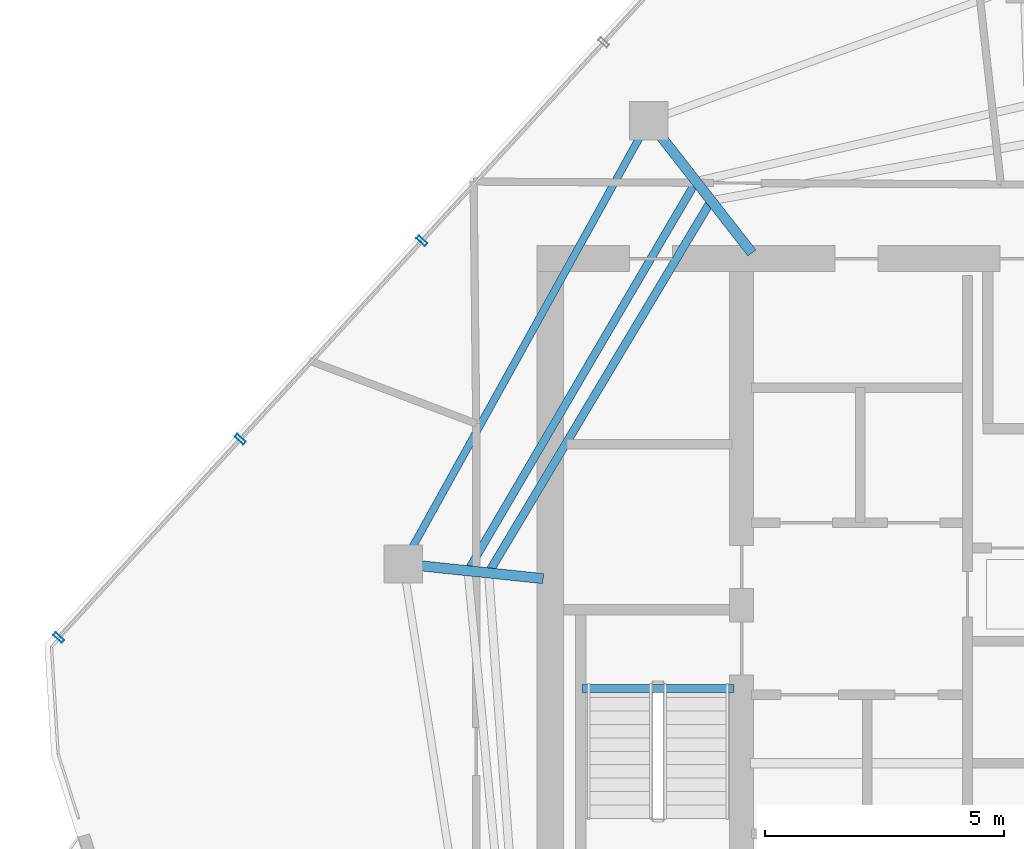
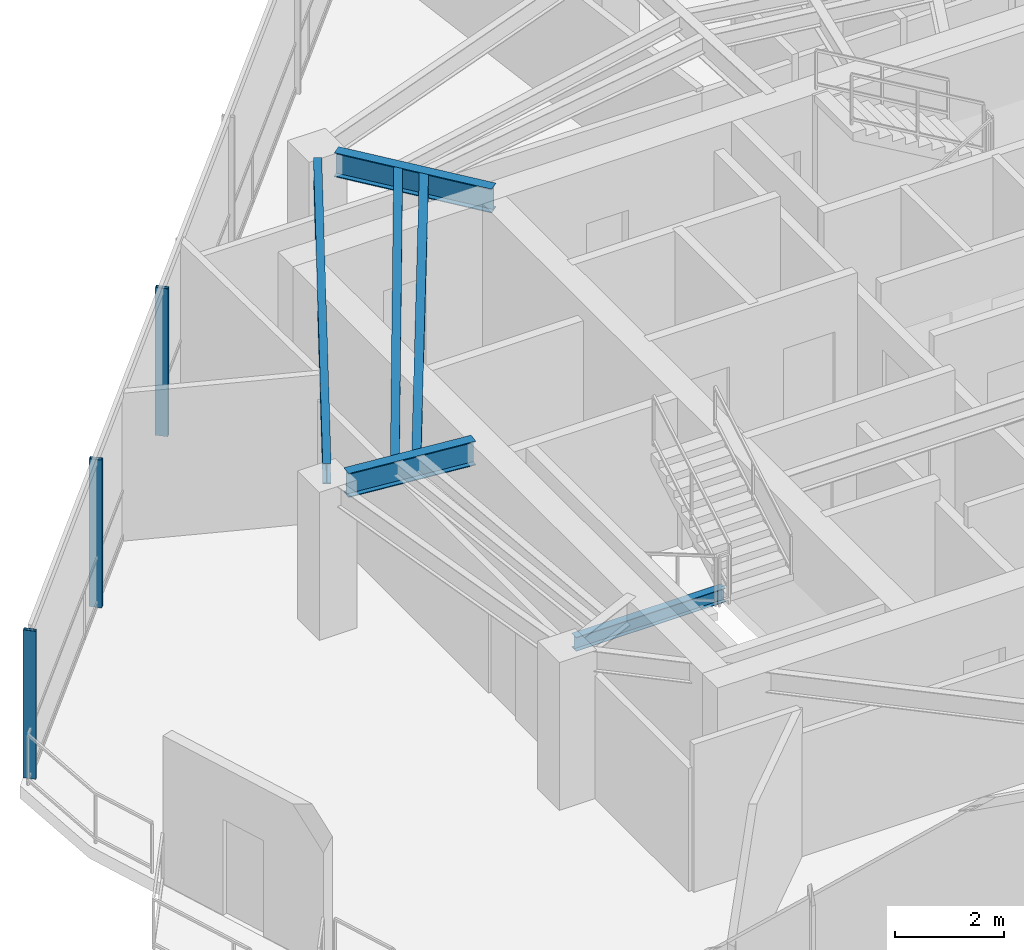
# One storey, part 6 of 18: 6 beams, 3 members, 1 element without a shape of its own.
"""IFC4 building model written with IfcOpenShell, lengths in metres."""

from ifc_helpers import new_model, si_unit, direction, frame, origin, origin_2d, place, context, subcontext, project, spatial, hollow_rectangle, i_section, extrude, material, layer, layer_set, material_profile, profile_set, type_object, element, aggregate, save


model = new_model("IFC4")

# Units and contexts
model_context = context("Model", 3, precision=1e-05, world=origin(), true_north=direction((0.0, 1.0)))
body_context = subcontext(model_context, "Body", "Model", "MODEL_VIEW")
ifc_project = project(units=[si_unit("LENGTHUNIT", "METRE"), si_unit("AREAUNIT", "SQUARE_METRE"), si_unit("VOLUMEUNIT", "CUBIC_METRE"), si_unit("PLANEANGLEUNIT", "RADIAN"), si_unit("MASSUNIT", "GRAM", prefix="KILO")], contexts=[model_context])

# Site, building, storey
site_placement = place(None, origin())
site = spatial("IfcSite", under=ifc_project, at=site_placement, CompositionType="ELEMENT")
building_placement = place(site_placement, origin())
building = spatial("IfcBuilding", under=site, at=building_placement, Name="Qarnah Convention Tower", CompositionType="ELEMENT")
storey_placement = place(building_placement, frame((0.0, 0.0, 246.300048828125)))
storey = spatial("IfcBuildingStorey", under=building, at=storey_placement, Name="L66", CompositionType="ELEMENT", Elevation=246.300048828125)

# Beams
ifc_material_1 = material(Name="Structural steel S355JR", Category="steel")
ifc_material_profile_1 = material_profile(ifc_material_1, i_section(OverallWidth=0.166015625, OverallDepth=0.31201171875, WebThickness=0.007080078125, FlangeThickness=0.010986328125, at=origin_2d()), Name="W310X45")
ifc_profile_set_1 = profile_set([ifc_material_profile_1], Name="Structural steel S355JR")
beam_type_1 = type_object("IfcBeamType", Name="BM-JST-W310", PredefinedType="JOIST", material=ifc_profile_set_1)
beam_1_placement = place(storey_placement, frame((27.4599609375, 25.217041015625, -0.156005859375), z_axis=(1.0, 0.0, 0.0), x_axis=(0.0, 1.0, 0.0)))
element("IfcBeam", 1, at=beam_1_placement, inside=storey, type_object=beam_type_1, Name="L66 stair landing trimmer beam BM-L66-ST1-TRM", PredefinedType="BEAM", context=body_context, shape_type="SweptSolid", body=[
    extrude(i_section(OverallWidth=0.166015625, OverallDepth=0.31201171875, WebThickness=0.007080078125, FlangeThickness=0.010986328125, at=origin_2d()), origin(), (0.0, 0.0, 1.0), 3.179931640625),
])
beam_2_placement = place(storey_placement, frame((29.801025390625, 35.73388671875, 3.1640625), z_axis=(-0.505632134477, -0.862749178258, 0.0), x_axis=(0.862749178258, -0.505632134477, 0.0)))
element("IfcBeam", 2, at=beam_2_placement, inside=storey, type_object=beam_type_1, Name="L66 joist BM-L66-SJST-04", PredefinedType="JOIST", context=body_context, shape_type="SweptSolid", body=[
    extrude(i_section(OverallWidth=0.166015625, OverallDepth=0.31201171875, WebThickness=0.007080078125, FlangeThickness=0.010986328125, at=origin_2d()), origin(), (0.0, 0.0, 1.0), 9.251708984375),
])
ifc_material_profile_2 = material_profile(ifc_material_1, i_section(OverallWidth=0.172119140625, OverallDepth=0.35595703125, WebThickness=0.007080078125, FlangeThickness=0.011962890625, at=origin_2d()), Name="W360X51")
ifc_profile_set_2 = profile_set([ifc_material_profile_2], Name="Structural steel S355JR")
beam_type_2 = type_object("IfcBeamType", Name="BM-JST-W360", PredefinedType="JOIST", material=ifc_profile_set_2)
beam_3_placement = place(storey_placement, frame((30.115966796875, 35.33203125, 3.141845703125), z_axis=(-0.513372127696, -0.858166101932, 0.0), x_axis=(0.858166101932, -0.513372127696, 0.0)))
element("IfcBeam", 3, at=beam_3_placement, inside=storey, type_object=beam_type_2, Name="L66 joist BM-L66-IJST-04", PredefinedType="JOIST", context=body_context, shape_type="SweptSolid", body=[
    extrude(i_section(OverallWidth=0.172119140625, OverallDepth=0.35595703125, WebThickness=0.007080078125, FlangeThickness=0.011962890625, at=origin_2d()), origin(), (0.0, 0.0, 1.0), 8.886474609375),
])
ifc_material_profile_3 = material_profile(ifc_material_1, i_section(OverallWidth=0.2119140625, OverallDepth=0.5400390625, WebThickness=0.011962890625, FlangeThickness=0.01904296875, at=origin_2d()), Name="W530X109")
ifc_profile_set_3 = profile_set([ifc_material_profile_3], Name="Structural steel S355JR")
beam_type_3 = type_object("IfcBeamType", Name="BM-RAD-W530A", PredefinedType="BEAM", material=ifc_profile_set_3)
beam_4_placement = place(storey_placement, frame((31.013916015625, 34.318115234375, 3.050048828125), z_axis=(-0.61549837076, 0.78813815768, 0.0), x_axis=(-0.78813815768, -0.61549837076, 0.0)))
element("IfcBeam", 4, at=beam_4_placement, inside=storey, type_object=beam_type_3, Name="L66 beam BM-L66-RAD-04", PredefinedType="BEAM", context=body_context, shape_type="SweptSolid", body=[
    extrude(i_section(OverallWidth=0.2119140625, OverallDepth=0.5400390625, WebThickness=0.011962890625, FlangeThickness=0.01904296875, at=origin_2d()), origin(), (0.0, 0.0, 1.0), 3.12255859375),
])
beam_5_placement = place(storey_placement, frame((26.65087890625, 27.509033203125, 3.050048828125), z_axis=(-0.994564280912, 0.104124402207, 0.0), x_axis=(-0.104124402207, -0.994564280912, 0.0)))
element("IfcBeam", 5, at=beam_5_placement, inside=storey, type_object=beam_type_3, Name="L66 beam BM-L66-RAD-05", PredefinedType="BEAM", context=body_context, shape_type="SweptSolid", body=[
    extrude(i_section(OverallWidth=0.2119140625, OverallDepth=0.5400390625, WebThickness=0.011962890625, FlangeThickness=0.01904296875, at=origin_2d()), origin(), (0.0, 0.0, 1.0), 2.562744140625),
])
ifc_material_profile_4 = material_profile(ifc_material_1, i_section(OverallWidth=0.154052734375, OverallDepth=0.4599609375, WebThickness=0.009033203125, FlangeThickness=0.014892578125, at=origin_2d()), Name="W460X68")
ifc_profile_set_4 = profile_set([ifc_material_profile_4], Name="Structural steel S355JR")
beam_type_4 = type_object("IfcBeamType", Name="BM-SPN-W460B", PredefinedType="SPANDREL", material=ifc_profile_set_4)
beam_6_placement = place(storey_placement, frame((28.6689453125, 36.737060546875, 3.08984375), z_axis=(-0.48479748752, -0.87462643231, 0.0), x_axis=(0.87462643231, -0.48479748752, 0.0)))
element("IfcBeam", 6, at=beam_6_placement, inside=storey, type_object=beam_type_4, Name="L66 spandrel BM-L66-SPN-04", PredefinedType="SPANDREL", context=body_context, shape_type="SweptSolid", body=[
    extrude(i_section(OverallWidth=0.154052734375, OverallDepth=0.4599609375, WebThickness=0.009033203125, FlangeThickness=0.014892578125, at=origin_2d()), origin(), (0.0, 0.0, 1.0), 9.81005859375),
])

# Curtain wall, members
ifc_material_2 = material(Name="Tempered Low-E dark glass", Category="glass")
ifc_layer = layer(ifc_material_2, 0.176025390625)
ifc_layer_set = layer_set([ifc_layer], Name="Tempered Low-E dark glass")
curtain_wall_type = type_object("IfcCurtainWallType", Name="CWS-05", PredefinedType="NOTDEFINED", material=ifc_layer_set)
curtain_wall_placement = place(storey_placement, origin())
curtain_wall = element("IfcCurtainWall", 7, at=curtain_wall_placement, inside=storey, type_object=curtain_wall_type, Name="L66 unitised curtain wall CW-L66-F1", PredefinedType="NOTDEFINED")
ifc_material_3 = material(Name="Black anodised aluminium", Category="aluminium")
ifc_material_profile_5 = material_profile(ifc_material_3, hollow_rectangle(XDim=0.080078125, YDim=0.239990234375, WallThickness=0.0048828125, at=origin_2d()), Name="MUL-80X240")
ifc_profile_set_5 = profile_set([ifc_material_profile_5], Name="Black anodised aluminium")
member_type = type_object("IfcMemberType", Name="MUL-T5", PredefinedType="MULLION", material=ifc_profile_set_5)
member_1_placement = place(storey_placement, frame((16.52099609375, 26.27490234375, 0.0), z_axis=(0.0, 0.0, 1.0), x_axis=(0.675336373666, 0.737509852411, 0.0)))
member_1 = element("IfcMember", 8, at=member_1_placement, type_object=member_type, Name="CW-L66-F1 mullion 1", PredefinedType="MULLION", context=body_context, shape_type="SweptSolid", body=[
    extrude(hollow_rectangle(XDim=0.080078125, YDim=0.239990234375, WallThickness=0.0048828125, at=origin_2d()), origin(), (0.0, 0.0, 1.0), 3.320068359375),
])
member_2_placement = place(storey_placement, frame((20.318359375, 30.422119140625, 0.0), z_axis=(0.0, 0.0, 1.0), x_axis=(0.675336373666, 0.737509852411, 0.0)))
member_2 = element("IfcMember", 9, at=member_2_placement, type_object=member_type, Name="CW-L66-F1 mullion 2", PredefinedType="MULLION", context=body_context, shape_type="SweptSolid", body=[
    extrude(hollow_rectangle(XDim=0.080078125, YDim=0.239990234375, WallThickness=0.0048828125, at=origin_2d()), origin(), (0.0, 0.0, 1.0), 3.320068359375),
])
member_3_placement = place(storey_placement, frame((24.11572265625, 34.569091796875, 0.0), z_axis=(0.0, 0.0, 1.0), x_axis=(0.675336373666, 0.737509852411, 0.0)))
member_3 = element("IfcMember", 10, at=member_3_placement, type_object=member_type, Name="CW-L66-F1 mullion 3", PredefinedType="MULLION", context=body_context, shape_type="SweptSolid", body=[
    extrude(hollow_rectangle(XDim=0.080078125, YDim=0.239990234375, WallThickness=0.0048828125, at=origin_2d()), origin(), (0.0, 0.0, 1.0), 3.320068359375),
])
aggregate(curtain_wall, [member_1, member_2, member_3])

save(model, "model.ifc")
